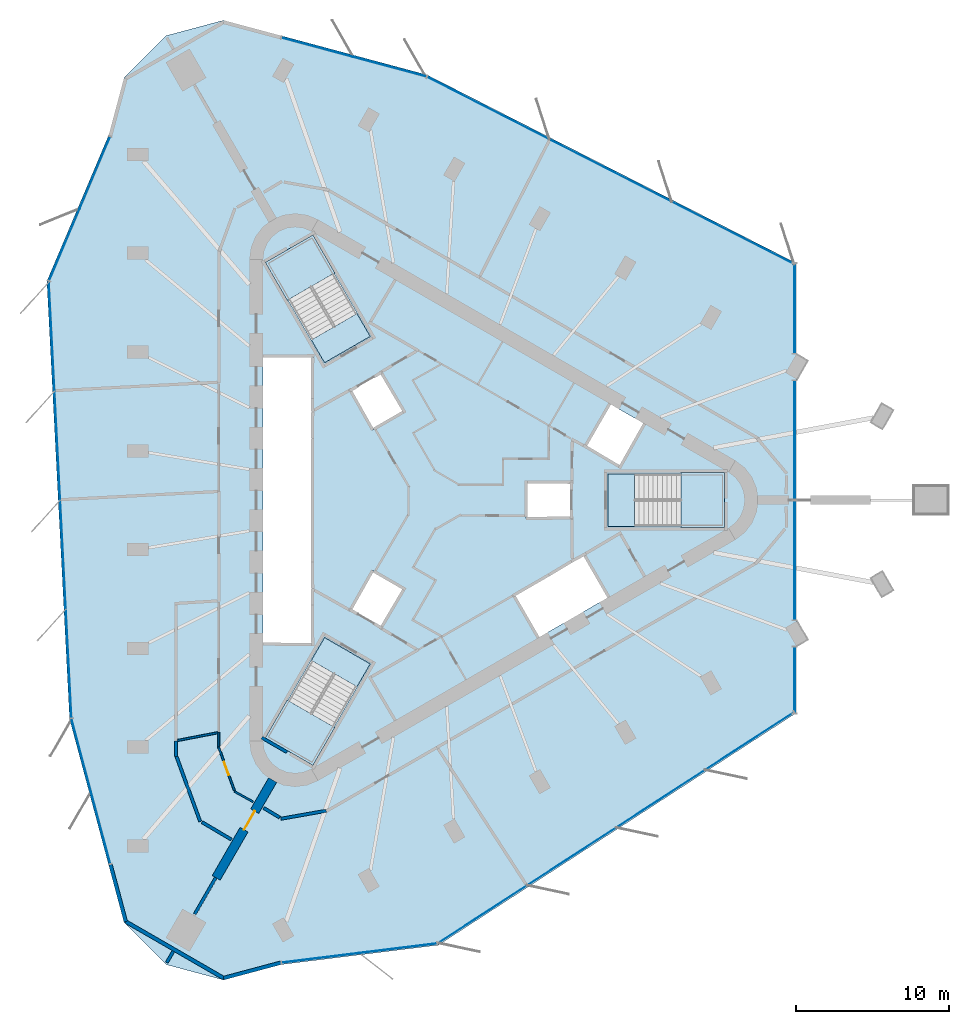
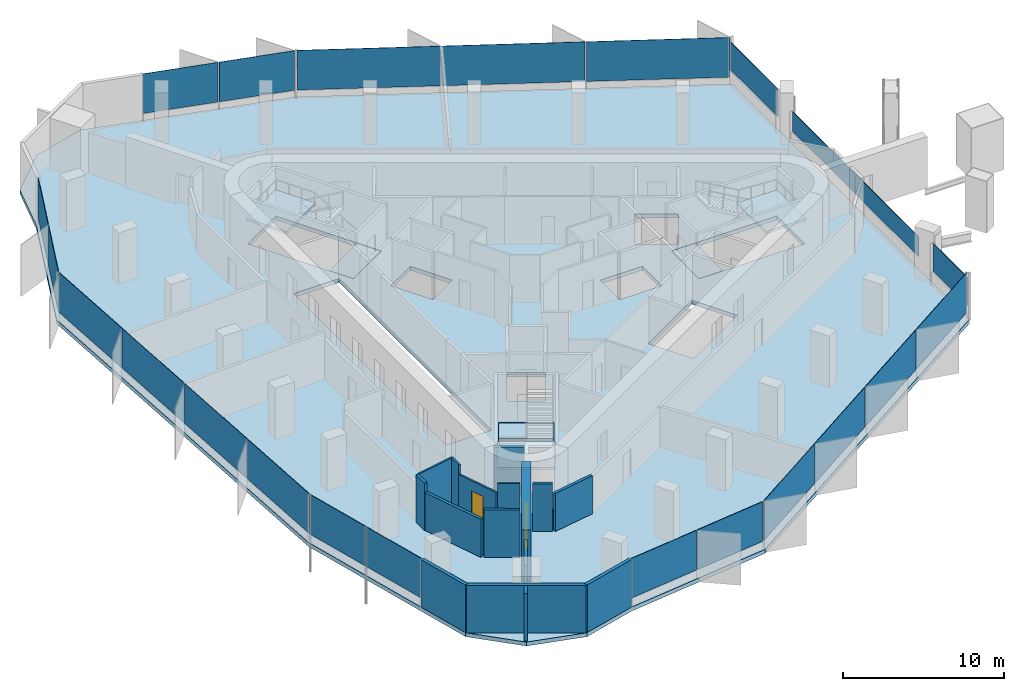
# One storey, part 6 of 12: 23 plates, 16 walls, 7 slabs, 2 doors, 2 openings, 13 elements without a shape of their own.
"""IFC4 building model written with IfcOpenShell, lengths in metres."""

from ifc_helpers import new_model, si_unit, direction, frame, frame_2d, origin, origin_2d, place, context, subcontext, project, spatial, polyline, rectangle, outline, extrude, material, layer, layer_set, type_object, element, fill, aggregate, save


model = new_model("IFC4")

# Units and contexts
model_context = context("Model", 3, precision=1e-05, world=origin(), true_north=direction((0.0, 1.0)))
body_context = subcontext(model_context, "Body", "Model", "MODEL_VIEW")
ifc_project = project(units=[si_unit("LENGTHUNIT", "METRE"), si_unit("AREAUNIT", "SQUARE_METRE"), si_unit("VOLUMEUNIT", "CUBIC_METRE"), si_unit("PLANEANGLEUNIT", "RADIAN"), si_unit("MASSUNIT", "GRAM", prefix="KILO")], contexts=[model_context])

# Site, building, storey
site_placement = place(None, origin())
site = spatial("IfcSite", under=ifc_project, at=site_placement, CompositionType="ELEMENT")
building_placement = place(site_placement, origin())
building = spatial("IfcBuilding", under=site, at=building_placement, Name="Tanit Gate Tower", CompositionType="ELEMENT")
storey_placement = place(building_placement, frame((0.0, 0.0, 365.0)))
storey = spatial("IfcBuildingStorey", under=building, at=storey_placement, Name="L83", CompositionType="ELEMENT", Elevation=365.0)

# Slab
ifc_material_1 = material(Name="Concrete C35/45", Category="concrete")
ifc_layer_1 = layer(ifc_material_1, 0.300048828125)
ifc_layer_set_1 = layer_set([ifc_layer_1], Name="FLOOR SLAB 300 C35/45")
slab_type_1 = type_object("IfcSlabType", Name="FLOOR SLAB 300 C35/45", PredefinedType="FLOOR", material=ifc_layer_set_1)
slab_1_placement = place(storey_placement, frame((0.0, 0.0, -0.300048828125)))
element("IfcSlab", 1, at=slab_1_placement, inside=storey, type_object=slab_type_1, Name="FLOOR SLAB L83", PredefinedType="FLOOR", context=body_context, shape_type="SweptSolid", body=[
    extrude(outline(polyline([(0.267822265625, -29.116943359375), (-10.025390625, -30.39013671875), (-13.78564453125, -31.397705078125), (-17.545654296875, -30.39013671875), (-20.29833984375, -27.637451171875), (-21.305908203125, -23.87744140625), (-23.86181640625, -14.326416015625), (-25.349853515625, 14.326416015625), (-21.305908203125, 23.87744140625), (-20.29833984375, 27.637451171875), (-17.545654296875, 30.39013671875), (-13.78564453125, 31.397705078125), (-10.025390625, 30.39013671875), (-0.476318359375, 27.828125), (25.08203125, 14.790283203125), (23.699951171875, 15.495361328125), (23.699951171875, -13.91552734375), (0.267822265625, -29.116943359375)]), holes=[polyline([(11.3701171875, 1.72998046875), (18.929931640625, 1.72998046875), (18.929931640625, -1.72998046875), (11.3701171875, -1.72998046875), (11.3701171875, 1.72998046875)]), polyline([(12.158935546875, 2.159912109375), (9.82080078125, 3.510009765625), (11.44580078125, 6.324462890625), (13.783935546875, 4.974609375), (12.158935546875, 2.159912109375)]), polyline([(11.44580078125, -6.324462890625), (6.76904296875, -9.0244140625), (5.14404296875, -6.2099609375), (9.82080078125, -3.510009765625), (11.44580078125, -6.324462890625)]), polyline([(6.0, 1.199951171875), (9.0, 1.199951171875), (9.0, -1.199951171875), (6.0, -1.199951171875), (6.0, 1.199951171875)]), polyline([(-4.039306640625, 4.59619140625), (-5.539306640625, 7.194091796875), (-3.460693359375, 8.394287109375), (-1.960693359375, 5.796142578125), (-4.039306640625, 4.59619140625)]), polyline([(-1.960693359375, -5.796142578125), (-3.460693359375, -8.394287109375), (-5.539306640625, -7.194091796875), (-4.039306640625, -4.59619140625), (-1.960693359375, -5.796142578125)]), polyline([(-7.18310546875, 8.981689453125), (-10.963134765625, 15.52880859375), (-7.966796875, 17.2587890625), (-4.186767578125, 10.711669921875), (-7.18310546875, 8.981689453125)]), polyline([(-4.186767578125, -10.711669921875), (-7.966796875, -17.2587890625), (-10.963134765625, -15.52880859375), (-7.18310546875, -8.981689453125), (-4.186767578125, -10.711669921875)]), polyline([(-11.199951171875, -9.449951171875), (-11.199951171875, 9.449951171875), (-7.949951171875, 9.449951171875), (-7.949951171875, -9.449951171875), (-11.199951171875, -9.449951171875)])]), origin(), (0.0, 0.0, 1.0), 0.300048828125),
])

# Curtain wall, plates
ifc_material_2 = material(Name="Aluminium bronze anodised and glass", Category="aluminium")
curtain_wall_type_1 = type_object("IfcCurtainWallType", Name="Curtain wall typical high", PredefinedType="NOTDEFINED", material=ifc_material_2)
curtain_wall_1_placement = place(storey_placement, origin())
curtain_wall_1 = element("IfcCurtainWall", 2, at=curtain_wall_1_placement, inside=storey, type_object=curtain_wall_type_1, Name="Curtain wall L83 NE2c", PredefinedType="NOTDEFINED")
ifc_material_3 = material(Name="Glass tinted", Category="glass")
ifc_layer_2 = layer(ifc_material_3, 0.028076171875)
ifc_layer_set_2 = layer_set([ifc_layer_2], Name="Glass panel 28 typical high")
plate_type_1 = type_object("IfcPlateType", Name="Glass panel 28 typical high", PredefinedType="CURTAIN_PANEL", material=ifc_layer_set_2)
plate_1_placement = place(storey_placement, frame((19.5400390625, 17.482666015625, 0.60009765625), z_axis=(0.0, 0.0, 1.0), x_axis=(-0.890792250432, 0.454410790552, 0.0)))
plate_1 = element("IfcPlate", 3, at=plate_1_placement, type_object=plate_type_1, Name="Glass panel L83 NE2c.1", PredefinedType="CURTAIN_PANEL", context=body_context, shape_type="SweptSolid", body=[
    extrude(rectangle(XDim=8.91162109375, YDim=0.028076171875, at=origin_2d()), origin(), (0.0, 0.0, 1.0), 3.0),
])
plate_2_placement = place(storey_placement, frame((11.530517578125, 21.568603515625, 0.60009765625), z_axis=(0.0, 0.0, 1.0), x_axis=(-0.890792250432, 0.454410790552, 0.0)))
plate_2 = element("IfcPlate", 4, at=plate_2_placement, type_object=plate_type_1, Name="Glass panel L83 NE2c.2", PredefinedType="CURTAIN_PANEL", context=body_context, shape_type="SweptSolid", body=[
    extrude(rectangle(XDim=8.91162109375, YDim=0.028076171875, at=origin_2d()), origin(), (0.0, 0.0, 1.0), 3.0),
])
plate_3_placement = place(storey_placement, frame((3.52099609375, 25.654296875, 0.60009765625), z_axis=(0.0, 0.0, 1.0), x_axis=(-0.890792250432, 0.454410790552, 0.0)))
plate_3 = element("IfcPlate", 5, at=plate_3_placement, type_object=plate_type_1, Name="Glass panel L83 NE2c.3", PredefinedType="CURTAIN_PANEL", context=body_context, shape_type="SweptSolid", body=[
    extrude(rectangle(XDim=8.91162109375, YDim=0.028076171875, at=origin_2d()), origin(), (0.0, 0.0, 1.0), 3.0),
])
aggregate(curtain_wall_1, [plate_1, plate_2, plate_3])

curtain_wall_2_placement = place(storey_placement, origin())
curtain_wall_2 = element("IfcCurtainWall", 6, at=curtain_wall_2_placement, inside=storey, type_object=curtain_wall_type_1, Name="Curtain wall L83 NE3", PredefinedType="NOTDEFINED")
plate_4_placement = place(storey_placement, frame((-2.923095703125, 28.3603515625, 0.60009765625), z_axis=(0.0, 0.0, 1.0), x_axis=(-0.965844581241, 0.259122065613, 0.0)))
plate_4 = element("IfcPlate", 7, at=plate_4_placement, type_object=plate_type_1, Name="Glass panel L83 NE3.1", PredefinedType="CURTAIN_PANEL", context=body_context, shape_type="SweptSolid", body=[
    extrude(rectangle(XDim=4.817138671875, YDim=0.028076171875, at=origin_2d()), origin(), (0.0, 0.0, 1.0), 3.0),
])
plate_5_placement = place(storey_placement, frame((-7.653076171875, 29.62939453125, 0.60009765625), z_axis=(0.0, 0.0, 1.0), x_axis=(-0.965844581241, 0.259122065613, 0.0)))
plate_5 = element("IfcPlate", 8, at=plate_5_placement, type_object=plate_type_1, Name="Glass panel L83 NE3.2", PredefinedType="CURTAIN_PANEL", context=body_context, shape_type="SweptSolid", body=[
    extrude(rectangle(XDim=4.817138671875, YDim=0.028076171875, at=origin_2d()), origin(), (0.0, 0.0, 1.0), 3.0),
])
aggregate(curtain_wall_2, [plate_4, plate_5])

curtain_wall_3_placement = place(storey_placement, origin())
curtain_wall_3 = element("IfcCurtainWall", 9, at=curtain_wall_3_placement, inside=storey, type_object=curtain_wall_type_1, Name="Curtain wall L83 W1", PredefinedType="NOTDEFINED")
plate_6_placement = place(storey_placement, frame((-22.208984375, 21.4365234375, 0.60009765625), z_axis=(0.0, 0.0, 1.0), x_axis=(-0.389905731577, -0.920854777087, 0.0)))
plate_6 = element("IfcPlate", 10, at=plate_6_placement, type_object=plate_type_1, Name="Glass panel L83 W1.1", PredefinedType="CURTAIN_PANEL", context=body_context, shape_type="SweptSolid", body=[
    extrude(rectangle(XDim=5.056396484375, YDim=0.028076171875, at=origin_2d()), origin(), (0.0, 0.0, 1.0), 3.0),
])
plate_7_placement = place(storey_placement, frame((-24.211669921875, 16.706787109375, 0.60009765625), z_axis=(0.0, 0.0, 1.0), x_axis=(-0.389905731577, -0.920854777087, 0.0)))
plate_7 = element("IfcPlate", 11, at=plate_7_placement, type_object=plate_type_1, Name="Glass panel L83 W1.2", PredefinedType="CURTAIN_PANEL", context=body_context, shape_type="SweptSolid", body=[
    extrude(rectangle(XDim=5.056396484375, YDim=0.028076171875, at=origin_2d()), origin(), (0.0, 0.0, 1.0), 3.0),
])
aggregate(curtain_wall_3, [plate_6, plate_7])

curtain_wall_4_placement = place(storey_placement, origin())
curtain_wall_4 = element("IfcCurtainWall", 12, at=curtain_wall_4_placement, inside=storey, type_object=curtain_wall_type_1, Name="Curtain wall L83 W2", PredefinedType="NOTDEFINED")
plate_8_placement = place(storey_placement, frame((-25.041259765625, 10.698486328125, 0.60009765625), z_axis=(0.0, 0.0, 1.0), x_axis=(0.051864836844, -0.998654113645, 0.0)))
plate_8 = element("IfcPlate", 13, at=plate_8_placement, type_object=plate_type_1, Name="Glass panel L83 W2.1", PredefinedType="CURTAIN_PANEL", context=body_context, shape_type="SweptSolid", body=[
    extrude(rectangle(XDim=7.062744140625, YDim=0.028076171875, at=origin_2d()), origin(), (0.0, 0.0, 1.0), 3.0),
])
plate_9_placement = place(storey_placement, frame((-24.6708984375, 3.5654296875, 0.60009765625), z_axis=(0.0, 0.0, 1.0), x_axis=(0.051864836844, -0.998654113645, 0.0)))
plate_9 = element("IfcPlate", 14, at=plate_9_placement, type_object=plate_type_1, Name="Glass panel L83 W2.2", PredefinedType="CURTAIN_PANEL", context=body_context, shape_type="SweptSolid", body=[
    extrude(rectangle(XDim=7.062744140625, YDim=0.028076171875, at=origin_2d()), origin(), (0.0, 0.0, 1.0), 3.0),
])
plate_10_placement = place(storey_placement, frame((-24.30029296875, -3.56787109375, 0.60009765625), z_axis=(0.0, 0.0, 1.0), x_axis=(0.051864836844, -0.998654113645, 0.0)))
plate_10 = element("IfcPlate", 15, at=plate_10_placement, type_object=plate_type_1, Name="Glass panel L83 W2.3", PredefinedType="CURTAIN_PANEL", context=body_context, shape_type="SweptSolid", body=[
    extrude(rectangle(XDim=7.062744140625, YDim=0.028076171875, at=origin_2d()), origin(), (0.0, 0.0, 1.0), 3.0),
])
plate_11_placement = place(storey_placement, frame((-23.929931640625, -10.700927734375, 0.60009765625), z_axis=(0.0, 0.0, 1.0), x_axis=(0.051864836844, -0.998654113645, 0.0)))
plate_11 = element("IfcPlate", 16, at=plate_11_placement, type_object=plate_type_1, Name="Glass panel L83 W2.4", PredefinedType="CURTAIN_PANEL", context=body_context, shape_type="SweptSolid", body=[
    extrude(rectangle(XDim=7.062744140625, YDim=0.028076171875, at=origin_2d()), origin(), (0.0, 0.0, 1.0), 3.0),
])
aggregate(curtain_wall_4, [plate_8, plate_9, plate_10, plate_11])

curtain_wall_5_placement = place(storey_placement, origin())
curtain_wall_5 = element("IfcCurtainWall", 17, at=curtain_wall_5_placement, inside=storey, type_object=curtain_wall_type_1, Name="Curtain wall L83 W3", PredefinedType="NOTDEFINED")
plate_12_placement = place(storey_placement, frame((-23.099365234375, -16.711669921875, 0.60009765625), z_axis=(0.0, 0.0, 1.0), x_axis=(0.258515999119, -0.966006976269, 0.0)))
plate_12 = element("IfcPlate", 18, at=plate_12_placement, type_object=plate_type_1, Name="Glass panel L83 W3.1", PredefinedType="CURTAIN_PANEL", context=body_context, shape_type="SweptSolid", body=[
    extrude(rectangle(XDim=4.817138671875, YDim=0.028076171875, at=origin_2d()), origin(), (0.0, 0.0, 1.0), 3.0),
])
plate_13_placement = place(storey_placement, frame((-21.833251953125, -21.4423828125, 0.60009765625), z_axis=(0.0, 0.0, 1.0), x_axis=(0.258515999119, -0.966006976269, 0.0)))
plate_13 = element("IfcPlate", 19, at=plate_13_placement, type_object=plate_type_1, Name="Glass panel L83 W3.2", PredefinedType="CURTAIN_PANEL", context=body_context, shape_type="SweptSolid", body=[
    extrude(rectangle(XDim=4.817138671875, YDim=0.028076171875, at=origin_2d()), origin(), (0.0, 0.0, 1.0), 3.0),
])
aggregate(curtain_wall_5, [plate_12, plate_13])

curtain_wall_6_placement = place(storey_placement, origin())
curtain_wall_6 = element("IfcCurtainWall", 20, at=curtain_wall_6_placement, inside=storey, type_object=curtain_wall_type_1, Name="Curtain wall L83 SE1", PredefinedType="NOTDEFINED")
plate_14_placement = place(storey_placement, frame((-7.460205078125, -29.951904296875, 0.60009765625), z_axis=(0.0, 0.0, 1.0), x_axis=(0.992436495942, 0.122759119916, 0.0)))
plate_14 = element("IfcPlate", 21, at=plate_14_placement, type_object=plate_type_1, Name="Glass panel L83 SE1.1", PredefinedType="CURTAIN_PANEL", context=body_context, shape_type="SweptSolid", body=[
    extrude(rectangle(XDim=5.056396484375, YDim=0.028076171875, at=origin_2d()), origin(), (0.0, 0.0, 1.0), 3.0),
])
plate_15_placement = place(storey_placement, frame((-2.362548828125, -29.3212890625, 0.60009765625), z_axis=(0.0, 0.0, 1.0), x_axis=(0.992436495942, 0.122759119916, 0.0)))
plate_15 = element("IfcPlate", 22, at=plate_15_placement, type_object=plate_type_1, Name="Glass panel L83 SE1.2", PredefinedType="CURTAIN_PANEL", context=body_context, shape_type="SweptSolid", body=[
    extrude(rectangle(XDim=5.056396484375, YDim=0.028076171875, at=origin_2d()), origin(), (0.0, 0.0, 1.0), 3.0),
])
aggregate(curtain_wall_6, [plate_14, plate_15])

curtain_wall_7_placement = place(storey_placement, origin())
curtain_wall_7 = element("IfcCurtainWall", 23, at=curtain_wall_7_placement, inside=storey, type_object=curtain_wall_type_1, Name="Curtain wall L83 SE2c", PredefinedType="NOTDEFINED")
plate_16_placement = place(storey_placement, frame((3.170166015625, -27.091064453125, 0.60009765625), z_axis=(0.0, 0.0, 1.0), x_axis=(0.838927413588, 0.544243323092, 0.0)))
plate_16 = element("IfcPlate", 24, at=plate_16_placement, type_object=plate_type_1, Name="Glass panel L83 SE2c.1", PredefinedType="CURTAIN_PANEL", context=body_context, shape_type="SweptSolid", body=[
    extrude(rectangle(XDim=6.859619140625, YDim=0.028076171875, at=origin_2d()), origin(), (0.0, 0.0, 1.0), 3.0),
])
plate_17_placement = place(storey_placement, frame((8.9921875, -23.31396484375, 0.60009765625), z_axis=(0.0, 0.0, 1.0), x_axis=(0.838927413588, 0.544243323092, 0.0)))
plate_17 = element("IfcPlate", 25, at=plate_17_placement, type_object=plate_type_1, Name="Glass panel L83 SE2c.2", PredefinedType="CURTAIN_PANEL", context=body_context, shape_type="SweptSolid", body=[
    extrude(rectangle(XDim=6.859619140625, YDim=0.028076171875, at=origin_2d()), origin(), (0.0, 0.0, 1.0), 3.0),
])
plate_18_placement = place(storey_placement, frame((14.81396484375, -19.537109375, 0.60009765625), z_axis=(0.0, 0.0, 1.0), x_axis=(0.838927413588, 0.544243323092, 0.0)))
plate_18 = element("IfcPlate", 26, at=plate_18_placement, type_object=plate_type_1, Name="Glass panel L83 SE2c.3", PredefinedType="CURTAIN_PANEL", context=body_context, shape_type="SweptSolid", body=[
    extrude(rectangle(XDim=6.859619140625, YDim=0.028076171875, at=origin_2d()), origin(), (0.0, 0.0, 1.0), 3.0),
])
plate_19_placement = place(storey_placement, frame((20.635986328125, -15.76025390625, 0.60009765625), z_axis=(0.0, 0.0, 1.0), x_axis=(0.838927413588, 0.544243323092, 0.0)))
plate_19 = element("IfcPlate", 27, at=plate_19_placement, type_object=plate_type_1, Name="Glass panel L83 SE2c.4", PredefinedType="CURTAIN_PANEL", context=body_context, shape_type="SweptSolid", body=[
    extrude(rectangle(XDim=6.859619140625, YDim=0.028076171875, at=origin_2d()), origin(), (0.0, 0.0, 1.0), 3.0),
])
aggregate(curtain_wall_7, [plate_16, plate_17, plate_18, plate_19])

# Curtain wall, plate
ifc_material_4 = material(Name="Aluminium bronze anodised and glass", Category="aluminium")
curtain_wall_type_2 = type_object("IfcCurtainWallType", Name="Curtain wall portal glazing", PredefinedType="NOTDEFINED", material=ifc_material_4)
curtain_wall_8_placement = place(storey_placement, origin())
curtain_wall_8 = element("IfcCurtainWall", 28, at=curtain_wall_8_placement, inside=storey, type_object=curtain_wall_type_2, Name="Curtain wall L83 NOTCH1", PredefinedType="NOTDEFINED")
ifc_material_5 = material(Name="Glass tinted laminated safety", Category="glass")
ifc_layer_3 = layer(ifc_material_5, 0.0439453125)
ifc_layer_set_3 = layer_set([ifc_layer_3], Name="Glass panel 44 portal glazing")
plate_type_2 = type_object("IfcPlateType", Name="Glass panel 44 portal glazing", PredefinedType="CURTAIN_PANEL", material=ifc_layer_set_3)
plate_20_placement = place(storey_placement, frame((23.580078125, 12.544189453125, 1.10009765625), z_axis=(0.0, 0.0, 1.0), x_axis=(0.0, -1.0, 0.0)))
plate_20 = element("IfcPlate", 29, at=plate_20_placement, type_object=plate_type_2, Name="Glass panel L83 NOTCH1.1", PredefinedType="CURTAIN_PANEL", context=body_context, shape_type="SweptSolid", body=[
    extrude(rectangle(XDim=5.86376953125, YDim=0.0439453125, at=origin_2d()), origin(), (0.0, 0.0, 1.0), 2.110107421875),
])
aggregate(curtain_wall_8, [plate_20])

# Curtain wall, plates
curtain_wall_9_placement = place(storey_placement, origin())
curtain_wall_9 = element("IfcCurtainWall", 30, at=curtain_wall_9_placement, inside=storey, type_object=curtain_wall_type_2, Name="Curtain wall L83 NOTCH2", PredefinedType="NOTDEFINED")
plate_21_placement = place(storey_placement, frame((23.580078125, 3.9267578125, 1.10009765625), z_axis=(0.0, 0.0, 1.0), x_axis=(0.0, -1.0, 0.0)))
plate_21 = element("IfcPlate", 31, at=plate_21_placement, type_object=plate_type_2, Name="Glass panel L83 NOTCH2.1", PredefinedType="CURTAIN_PANEL", context=body_context, shape_type="SweptSolid", body=[
    extrude(rectangle(XDim=7.7734375, YDim=0.0439453125, at=origin_2d()), origin(), (0.0, 0.0, 1.0), 1.510009765625),
])
plate_22_placement = place(storey_placement, frame((23.580078125, -3.9267578125, 1.10009765625), z_axis=(0.0, 0.0, 1.0), x_axis=(0.0, -1.0, 0.0)))
plate_22 = element("IfcPlate", 32, at=plate_22_placement, type_object=plate_type_2, Name="Glass panel L83 NOTCH2.2", PredefinedType="CURTAIN_PANEL", context=body_context, shape_type="SweptSolid", body=[
    extrude(rectangle(XDim=7.7734375, YDim=0.0439453125, at=origin_2d()), origin(), (0.0, 0.0, 1.0), 1.510009765625),
])
aggregate(curtain_wall_9, [plate_21, plate_22])

# Curtain wall, plate
curtain_wall_10_placement = place(storey_placement, origin())
curtain_wall_10 = element("IfcCurtainWall", 33, at=curtain_wall_10_placement, inside=storey, type_object=curtain_wall_type_2, Name="Curtain wall L83 NOTCH3", PredefinedType="NOTDEFINED")
plate_23_placement = place(storey_placement, frame((23.580078125, -11.762451171875, 1.10009765625), z_axis=(0.0, 0.0, 1.0), x_axis=(0.0, -1.0, 0.0)))
plate_23 = element("IfcPlate", 34, at=plate_23_placement, type_object=plate_type_2, Name="Glass panel L83 NOTCH3.1", PredefinedType="CURTAIN_PANEL", context=body_context, shape_type="SweptSolid", body=[
    extrude(rectangle(XDim=4.300537109375, YDim=0.0439453125, at=origin_2d()), origin(), (0.0, 0.0, 1.0), 2.110107421875),
])
aggregate(curtain_wall_10, [plate_23])

# Stair, slab
ifc_material_6 = material(Name="Concrete C40/50", Category="concrete")
stair_type = type_object("IfcStairType", Name="INT-STAIR-EXIT", PredefinedType="HALF_TURN_STAIR", material=ifc_material_6)
stair_1_placement = place(storey_placement, origin())
stair_1 = element("IfcStair", 35, at=stair_1_placement, inside=storey, type_object=stair_type, Name="L83 STAIR S1", PredefinedType="HALF_TURN_STAIR")
ifc_material_7 = material(Name="Concrete C40/50", Category="concrete")
ifc_layer_4 = layer(ifc_material_7, 0.199951171875)
ifc_layer_set_4 = layer_set([ifc_layer_4], Name="INT-STAIR-LANDING")
slab_type_2 = type_object("IfcSlabType", Name="INT-STAIR-LANDING", PredefinedType="LANDING", material=ifc_layer_set_4)
slab_2_placement = place(storey_placement, frame((0.0, 0.0, 1.75)))
slab_2 = element("IfcSlab", 36, at=slab_2_placement, type_object=slab_type_2, Name="S1 landing 1", PredefinedType="LANDING", context=body_context, shape_type="SweptSolid", body=[
    extrude(outline(polyline([(16.135986328125, -1.800048828125), (19.0, -1.800048828125), (19.0, 1.800048828125), (16.135986328125, 1.800048828125), (16.135986328125, -1.800048828125)])), origin(), (0.0, 0.0, 1.0), 0.199951171875),
])
aggregate(stair_1, [slab_2])

# Slab
slab_3_placement = place(storey_placement, frame((0.0, 0.0, -0.199951171875)))
element("IfcSlab", 37, at=slab_3_placement, inside=storey, type_object=slab_type_2, Name="S1 floor landing", PredefinedType="LANDING", context=body_context, shape_type="SweptSolid", body=[
    extrude(outline(polyline([(11.3798828125, -1.719970703125), (13.10498046875, -1.719970703125), (13.10498046875, 1.719970703125), (11.3798828125, 1.719970703125), (11.3798828125, -1.719970703125)])), origin(), (0.0, 0.0, 1.0), 0.199951171875),
])

# Stair, slab
stair_2_placement = place(storey_placement, origin())
stair_2 = element("IfcStair", 38, at=stair_2_placement, inside=storey, type_object=stair_type, Name="L83 STAIR S2", PredefinedType="HALF_TURN_STAIR")
slab_4_placement = place(storey_placement, frame((0.0, 0.0, 1.75)))
slab_4 = element("IfcSlab", 39, at=slab_4_placement, type_object=slab_type_2, Name="S2 landing 1", PredefinedType="LANDING", context=body_context, shape_type="SweptSolid", body=[
    extrude(outline(polyline([(-6.5078125, 14.871826171875), (-7.941162109375, 17.3544921875), (-11.058837890625, 15.554443359375), (-9.62548828125, 13.07177734375), (-6.5078125, 14.871826171875)])), origin(), (0.0, 0.0, 1.0), 0.199951171875),
])
aggregate(stair_2, [slab_4])

# Slab
slab_5_placement = place(storey_placement, frame((0.0, 0.0, -0.199951171875)))
element("IfcSlab", 40, at=slab_5_placement, inside=storey, type_object=slab_type_2, Name="S2 floor landing", PredefinedType="LANDING", context=body_context, shape_type="SweptSolid", body=[
    extrude(outline(polyline([(-4.200439453125, 10.71533203125), (-5.0625, 12.20849609375), (-8.04150390625, 10.48828125), (-7.179443359375, 8.995361328125), (-4.200439453125, 10.71533203125)])), origin(), (0.0, 0.0, 1.0), 0.199951171875),
])

# Stair, slab
stair_3_placement = place(storey_placement, origin())
stair_3 = element("IfcStair", 41, at=stair_3_placement, inside=storey, type_object=stair_type, Name="L83 STAIR S3", PredefinedType="HALF_TURN_STAIR")
slab_6_placement = place(storey_placement, frame((0.0, 0.0, 1.75)))
slab_6 = element("IfcSlab", 42, at=slab_6_placement, type_object=slab_type_2, Name="S3 landing 1", PredefinedType="LANDING", context=body_context, shape_type="SweptSolid", body=[
    extrude(outline(polyline([(-9.626953125, -13.07421875), (-11.058837890625, -15.554443359375), (-7.941162109375, -17.3544921875), (-6.509033203125, -14.874267578125), (-9.626953125, -13.07421875)])), origin(), (0.0, 0.0, 1.0), 0.199951171875),
])
aggregate(stair_3, [slab_6])

# Slab
slab_7_placement = place(storey_placement, frame((0.0, 0.0, -0.199951171875)))
element("IfcSlab", 43, at=slab_7_placement, inside=storey, type_object=slab_type_2, Name="S3 floor landing", PredefinedType="LANDING", context=body_context, shape_type="SweptSolid", body=[
    extrude(outline(polyline([(-7.179443359375, -8.995361328125), (-8.0419921875, -10.4892578125), (-5.06298828125, -12.209228515625), (-4.200439453125, -10.71533203125), (-7.179443359375, -8.995361328125)])), origin(), (0.0, 0.0, 1.0), 0.199951171875),
])

# Wall, opening, door
ifc_material_8 = material(Name="Concrete C40/50", Category="concrete")
ifc_layer_5 = layer(ifc_material_8, 0.60009765625)
ifc_layer_set_5 = layer_set([ifc_layer_5], Name="BUTTRESS FIN 600 C40/50")
wall_type_1 = type_object("IfcWallType", Name="BUTTRESS FIN 600 C40/50", PredefinedType="SHEAR", material=ifc_layer_set_5)
wall_1_placement = place(storey_placement, frame((-10.574951171875, -18.31640625, 0.0), z_axis=(0.0, 0.0, 1.0), x_axis=(-0.500009454961, -0.866019944892, 0.0)))
wall_1 = element("IfcWall", 44, at=wall_1_placement, inside=storey, type_object=wall_type_1, Name="BUTTRESS FIN", PredefinedType="SHEAR", context=body_context, shape_type="SweptSolid", body=[
    extrude(rectangle(XDim=7.387939453125, YDim=0.60009765625, at=frame_2d((3.69384765625, 0.0))), origin(), (0.0, 0.0, 1.0), 3.89990234375),
])
opening_1_placement = place(wall_1_placement, frame((2.35009765625, 0.0, 0.0)))
opening_1 = element("IfcOpeningElement", 45, at=opening_1_placement, cuts=wall_1, Name="Opening P14-83-F-SW-1", PredefinedType="OPENING", context=body_context, shape_type="SweptSolid", body=[
    extrude(rectangle(XDim=1.39990234375, YDim=2.39990234375, at=frame_2d((0.699951171875, 1.199951171875))), frame((0.0, 0.31005859375, 0.0), z_axis=(0.0, -1.0, 0.0), x_axis=(1.0, 0.0, 0.0)), (0.0, 0.0, 1.0), 0.6201171875),
])
ifc_material_9 = material(Name="Timber door leaf", Category="wood")
door_type_1 = type_object("IfcDoorType", Name="INT-DOOR-FIN-PAIR-1400", OperationType="NOTDEFINED", PredefinedType="NOTDEFINED", material=ifc_material_9)
door_1_placement = place(opening_1_placement, origin())
door_1 = element("IfcDoor", 46, at=door_1_placement, inside=storey, type_object=door_type_1, Name="Door P14-83-F-SW-1", OperationType="DOUBLE_DOOR_SINGLE_SWING", OverallHeight=2.39990234375, OverallWidth=1.39990234375, PredefinedType="NOTDEFINED", context=body_context, shape_type="SweptSolid", body=[
    extrude(rectangle(XDim=1.39990234375, YDim=2.39990234375, at=frame_2d((0.699951171875, 1.199951171875))), frame((0.0, 0.02490234375, 0.0), z_axis=(0.0, -1.0, 0.0), x_axis=(1.0, 0.0, 0.0)), (0.0, 0.0, 1.0), 0.050048828125),
])
fill(opening_1, door_1)

# Walls
ifc_material_10 = material(Name="Concrete C30/37 with bronze anodised aluminium cladding", Category="concrete")
ifc_layer_6 = layer(ifc_material_10, 0.239990234375)
ifc_layer_set_6 = layer_set([ifc_layer_6], Name="Facade wall bronze clad 240")
wall_type_2 = type_object("IfcWallType", Name="Facade wall bronze clad 240", PredefinedType="SOLIDWALL", material=ifc_layer_set_6)
wall_2_placement = place(storey_placement, frame((-21.18994140625, -23.846435546875, 0.0), z_axis=(0.0, 0.0, 1.0), x_axis=(0.258839344225, -0.965920386927, 0.0)))
element("IfcWall", 47, at=wall_2_placement, inside=storey, type_object=wall_type_2, Name="Bronze-clad facade wall L83 SW.arc1", PredefinedType="SOLIDWALL", context=body_context, shape_type="SweptSolid", body=[
    extrude(rectangle(XDim=3.860595703125, YDim=0.239990234375, at=frame_2d((1.93017578125, 0.0))), origin(), (0.0, 0.0, 1.0), 3.60009765625),
])
wall_3_placement = place(storey_placement, frame((-20.190673828125, -27.575439453125, 0.0), z_axis=(0.0, 0.0, 1.0), x_axis=(0.866022320763, -0.500005339912, 0.0)))
element("IfcWall", 48, at=wall_3_placement, inside=storey, type_object=wall_type_2, Name="Bronze-clad facade wall L83 SW.arc2", PredefinedType="SOLIDWALL", context=body_context, shape_type="SweptSolid", body=[
    extrude(rectangle(XDim=7.39599609375, YDim=0.239990234375, at=frame_2d((3.697998046875, 0.0))), origin(), (0.0, 0.0, 1.0), 3.60009765625),
])
wall_4_placement = place(storey_placement, frame((-13.78564453125, -31.2734375, 0.0), z_axis=(0.0, 0.0, 1.0), x_axis=(0.965917910961, 0.258848583704, 0.0)))
element("IfcWall", 49, at=wall_4_placement, inside=storey, type_object=wall_type_2, Name="Bronze-clad facade wall L83 SW.arc3", PredefinedType="SOLIDWALL", context=body_context, shape_type="SweptSolid", body=[
    extrude(rectangle(XDim=3.868896484375, YDim=0.239990234375, at=frame_2d((1.9345703125, 0.0))), origin(), (0.0, 0.0, 1.0), 3.60009765625),
])
ifc_material_11 = material(Name="Fire-rated gypsum board partition")
ifc_layer_7 = layer(ifc_material_11, 0.199951171875)
ifc_layer_set_7 = layer_set([ifc_layer_7], Name="INT-WALL-COMPARTMENT")
wall_type_3 = type_object("IfcWallType", Name="INT-WALL-COMPARTMENT", PredefinedType="PARTITIONING", material=ifc_layer_set_7)
wall_5_placement = place(storey_placement, frame((-16.89990234375, -16.787353515625, 0.0), z_axis=(0.0, 0.0, 1.0), x_axis=(0.0, 1.0, 0.0)))
element("IfcWall", 50, at=wall_5_placement, inside=storey, type_object=wall_type_3, Name="Wall Compartment W102", PredefinedType="PARTITIONING", context=body_context, shape_type="SweptSolid", body=[
    extrude(rectangle(XDim=1.033447265625, YDim=0.199951171875, at=frame_2d((0.5166015625, 0.0))), origin(), (0.0, 0.0, 1.0), 3.60009765625),
])
wall_6_placement = place(storey_placement, frame((-15.321044921875, -21.025634765625, 0.0), z_axis=(0.0, 0.0, 1.0), x_axis=(-0.341990430397, 0.939703434875, 0.0)))
element("IfcWall", 51, at=wall_6_placement, inside=storey, type_object=wall_type_3, Name="Wall Compartment W103", PredefinedType="PARTITIONING", context=body_context, shape_type="SweptSolid", body=[
    extrude(rectangle(XDim=4.516845703125, YDim=0.199951171875, at=frame_2d((2.25830078125, 0.0))), origin(), (0.0, 0.0, 1.0), 2.8798828125),
])
wall_7_placement = place(storey_placement, frame((-15.197509765625, -21.072265625, 0.0), z_axis=(0.0, 0.0, 1.0), x_axis=(0.8605462596, -0.509372295171, 0.0)))
element("IfcWall", 52, at=wall_7_placement, inside=storey, type_object=wall_type_3, Name="Wall Compartment W104", PredefinedType="PARTITIONING", context=body_context, shape_type="SweptSolid", body=[
    extrude(rectangle(XDim=2.225341796875, YDim=0.199951171875, at=frame_2d((1.11279296875, 0.0))), origin(), (0.0, 0.0, 1.0), 3.60009765625),
])
wall_8_placement = place(storey_placement, frame((-17.505615234375, -30.260498046875, 0.0), z_axis=(0.0, 0.0, 1.0), x_axis=(0.500065409566, 0.86598763626, 0.0)))
element("IfcWall", 53, at=wall_8_placement, inside=storey, type_object=wall_type_3, Name="Wall Compartment W105", PredefinedType="PARTITIONING", context=body_context, shape_type="SweptSolid", body=[
    extrude(rectangle(XDim=0.86279296875, YDim=0.199951171875, at=frame_2d((0.431396484375, 0.0))), origin(), (0.0, 0.0, 1.0), 3.60009765625),
])
wall_9_placement = place(storey_placement, frame((-15.671630859375, -27.084228515625, 0.0), z_axis=(0.0, 0.0, 1.0), x_axis=(0.49996293259, 0.866046803606, 0.0)))
element("IfcWall", 54, at=wall_9_placement, inside=storey, type_object=wall_type_3, Name="Wall Compartment W106", PredefinedType="PARTITIONING", context=body_context, shape_type="SweptSolid", body=[
    extrude(rectangle(XDim=2.753662109375, YDim=0.199951171875, at=frame_2d((1.376953125, 0.0))), origin(), (0.0, 0.0, 1.0), 3.169921875),
])
wall_10_placement = place(storey_placement, frame((-10.0322265625, -20.846923828125, 0.0), z_axis=(0.0, 0.0, 1.0), x_axis=(0.984816253597, 0.173599961555, 0.0)))
element("IfcWall", 55, at=wall_10_placement, inside=storey, type_object=wall_type_3, Name="Wall Compartment W116", PredefinedType="PARTITIONING", context=body_context, shape_type="SweptSolid", body=[
    extrude(rectangle(XDim=3.00537109375, YDim=0.199951171875, at=frame_2d((1.502685546875, 0.0))), origin(), (0.0, 0.0, 1.0), 2.8798828125),
])
wall_11_placement = place(storey_placement, frame((-11.1650390625, -20.138427734375, 0.0), z_axis=(0.0, 0.0, 1.0), x_axis=(0.857404013622, -0.51464391323, 0.0)))
element("IfcWall", 56, at=wall_11_placement, inside=storey, type_object=wall_type_3, Name="Wall Compartment W117", PredefinedType="PARTITIONING", context=body_context, shape_type="SweptSolid", body=[
    extrude(rectangle(XDim=1.211669921875, YDim=0.199951171875, at=frame_2d((0.60595703125, 0.0))), origin(), (0.0, 0.0, 1.0), 3.60009765625),
])
ifc_material_12 = material(Name="Gypsum board partition")
ifc_layer_8 = layer(ifc_material_12, 0.1201171875)
ifc_layer_set_8 = layer_set([ifc_layer_8], Name="INT-WALL-PARTITION")
wall_type_4 = type_object("IfcWallType", Name="INT-WALL-PARTITION", PredefinedType="PARTITIONING", material=ifc_layer_set_8)
wall_12_placement = place(storey_placement, frame((-14.10009765625, -15.198486328125, 0.0), z_axis=(0.0, 0.0, 1.0), x_axis=(0.0, -1.0, 0.0)))
element("IfcWall", 57, at=wall_12_placement, inside=storey, type_object=wall_type_4, Name="Wall Partition W095", PredefinedType="PARTITIONING", context=body_context, shape_type="SweptSolid", body=[
    extrude(rectangle(XDim=0.93505859375, YDim=0.1201171875, at=frame_2d((0.467529296875, 0.0))), origin(), (0.0, 0.0, 1.0), 3.60009765625),
])
wall_13_placement = place(storey_placement, frame((-13.0703125, -19.065673828125, 0.0), z_axis=(0.0, 0.0, 1.0), x_axis=(0.874373126962, -0.485254196115, 0.0)))
element("IfcWall", 58, at=wall_13_placement, inside=storey, type_object=wall_type_4, Name="Wall Partition W093", PredefinedType="PARTITIONING", context=body_context, shape_type="SweptSolid", body=[
    extrude(rectangle(XDim=1.386474609375, YDim=0.1201171875, at=frame_2d((0.693359375, 0.0))), origin(), (0.0, 0.0, 1.0), 3.60009765625),
])

# Wall, opening, door
wall_14_placement = place(storey_placement, frame((-14.12060546875, -16.13720703125, 0.0), z_axis=(0.0, 0.0, 1.0), x_axis=(0.342014172905, -0.93969479382, 0.0)))
wall_14 = element("IfcWall", 59, at=wall_14_placement, inside=storey, type_object=wall_type_4, Name="Wall Partition W094", PredefinedType="PARTITIONING", context=body_context, shape_type="SweptSolid", body=[
    extrude(rectangle(XDim=3.03662109375, YDim=0.1201171875, at=frame_2d((1.518310546875, 0.0))), origin(), (0.0, 0.0, 1.0), 2.8798828125),
])
opening_2_placement = place(wall_14_placement, frame((1.06005859375, 0.0, 0.0)))
opening_2 = element("IfcOpeningElement", 60, at=opening_2_placement, cuts=wall_14, Name="Opening D09-83-23", PredefinedType="OPENING", context=body_context, shape_type="SweptSolid", body=[
    extrude(rectangle(XDim=0.89990234375, YDim=2.10009765625, at=frame_2d((0.449951171875, 1.050048828125))), frame((0.0, 0.070068359375, 0.0), z_axis=(0.0, -1.0, 0.0), x_axis=(1.0, 0.0, 0.0)), (0.0, 0.0, 1.0), 0.14013671875),
])
ifc_material_13 = material(Name="Timber door leaf", Category="wood")
door_type_2 = type_object("IfcDoorType", Name="INT-DOOR-SINGLE-900", OperationType="NOTDEFINED", PredefinedType="NOTDEFINED", material=ifc_material_13)
door_2_placement = place(opening_2_placement, origin())
door_2 = element("IfcDoor", 61, at=door_2_placement, inside=storey, type_object=door_type_2, Name="Door D09-83-23", OperationType="SINGLE_SWING_LEFT", OverallHeight=2.10009765625, OverallWidth=0.89990234375, PredefinedType="NOTDEFINED", context=body_context, shape_type="SweptSolid", body=[
    extrude(rectangle(XDim=0.89990234375, YDim=2.10009765625, at=frame_2d((0.449951171875, 1.050048828125))), frame((0.0, 0.02490234375, 0.0), z_axis=(0.0, -1.0, 0.0), x_axis=(1.0, 0.0, 0.0)), (0.0, 0.0, 1.0), 0.050048828125),
])
fill(opening_2, door_2)

# Walls
wall_15_placement = place(storey_placement, frame((-16.800048828125, -15.725341796875, 0.0), z_axis=(0.0, 0.0, 1.0), x_axis=(0.981898779941, 0.189406404194, 0.0)))
element("IfcWall", 62, at=wall_15_placement, inside=storey, type_object=wall_type_4, Name="Wall Partition W107", PredefinedType="PARTITIONING", context=body_context, shape_type="SweptSolid", body=[
    extrude(rectangle(XDim=2.688720703125, YDim=0.1201171875, at=frame_2d((1.34423828125, 0.0))), origin(), (0.0, 0.0, 1.0), 3.60009765625),
])
ifc_material_14 = material(Name="Concrete C40/50", Category="concrete")
ifc_layer_9 = layer(ifc_material_14, 0.199951171875)
ifc_layer_set_9 = layer_set([ifc_layer_9], Name="INT-WALL-STAIR")
wall_type_5 = type_object("IfcWallType", Name="INT-WALL-STAIR", PredefinedType="SHEAR", material=ifc_layer_set_9)
wall_16_placement = place(storey_placement, frame((-11.281982421875, -15.541015625, -0.300048828125), z_axis=(0.0, 0.0, 1.0), x_axis=(0.866000578957, -0.500042995397, 0.0)))
element("IfcWall", 63, at=wall_16_placement, inside=storey, type_object=wall_type_5, Name="Wall Stair W040", PredefinedType="SHEAR", context=body_context, shape_type="SweptSolid", body=[
    extrude(rectangle(XDim=1.889892578125, YDim=0.199951171875, at=frame_2d((0.94482421875, 0.0))), origin(), (0.0, 0.0, 1.0), 3.900146484375),
])

save(model, "model.ifc")
